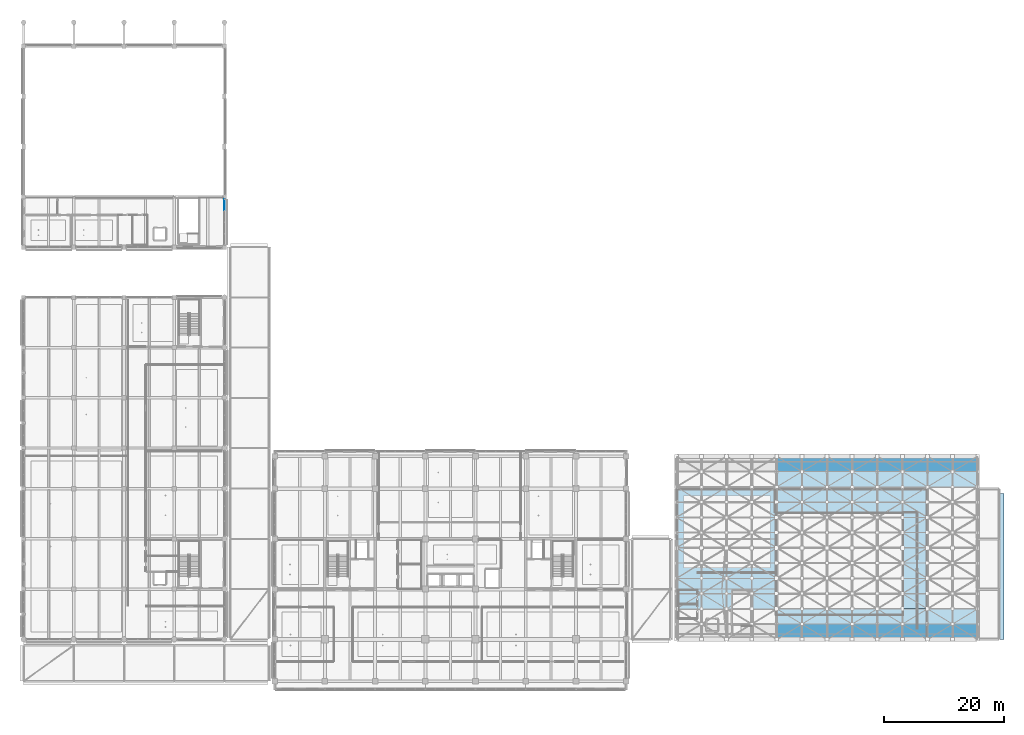
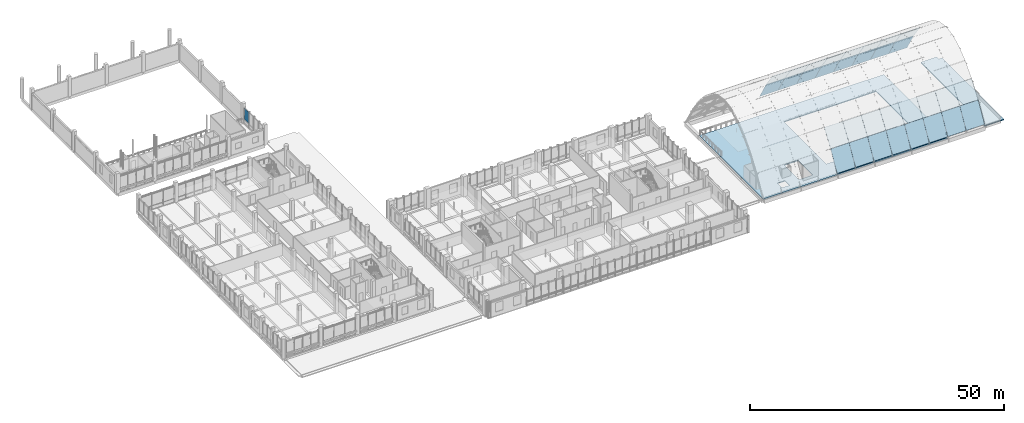
# One storey, part 43 of 128: 33 plates, 2 slabs, 1 element without a shape of its own.
"""IFC4 building model written with IfcOpenShell, lengths in metres."""

from ifc_helpers import new_model, si_unit, direction, frame, origin, origin_2d, place, context, subcontext, project, spatial, polyline, rectangle, outline, extrude, material, layer, layer_set, type_object, element, aggregate, save


model = new_model("IFC4")

# Units and contexts
model_context = context("Model", 3, precision=1e-05, world=origin(), true_north=direction((0.0, 1.0)))
body_context = subcontext(model_context, "Body", "Model", "MODEL_VIEW")
ifc_project = project(units=[si_unit("LENGTHUNIT", "METRE"), si_unit("AREAUNIT", "SQUARE_METRE"), si_unit("VOLUMEUNIT", "CUBIC_METRE"), si_unit("PLANEANGLEUNIT", "RADIAN"), si_unit("MASSUNIT", "GRAM", prefix="KILO")], contexts=[model_context])

# Site, building, storey
site_placement = place(None, origin())
site = spatial("IfcSite", under=ifc_project, at=site_placement, CompositionType="ELEMENT")
building_placement = place(site_placement, origin())
building = spatial("IfcBuilding", under=site, at=building_placement, Name="Telukmera Botanical Conservatory", CompositionType="ELEMENT")
storey_placement = place(building_placement, frame((0.0, 0.0, 5.39990234375)))
storey = spatial("IfcBuildingStorey", under=building, at=storey_placement, Name="L01", CompositionType="ELEMENT", Elevation=5.39990234375)

# Curtain wall, plate
ifc_material_1 = material(Name="Anodised aluminium 6063-T6", Category="aluminium")
ifc_layer_1 = layer(ifc_material_1, 0.179931640625)
ifc_layer_set_1 = layer_set([ifc_layer_1], Name="Anodised aluminium 6063-T6")
curtain_wall_type = type_object("IfcCurtainWallType", Name="Auditorium Upper Foyer Acoustic Curtain Wall", PredefinedType="USERDEFINED", material=ifc_layer_set_1)
curtain_wall_placement = place(storey_placement, origin())
curtain_wall = element("IfcCurtainWall", 1, at=curtain_wall_placement, inside=storey, type_object=curtain_wall_type, Name="Unitised Curtain Wall CW05 V2:L01:E1", ObjectType="UNITISED CURTAIN WALL", PredefinedType="USERDEFINED")
ifc_material_2 = material(Name="Spectrally selective low-E double glazing", Category="glass")
ifc_layer_2 = layer(ifc_material_2, 0.044921875)
ifc_layer_set_2 = layer_set([ifc_layer_2], Name="Spectrally selective low-E double glazing")
plate_type_1 = type_object("IfcPlateType", Name="Acoustic Triple Laminated Foyer Glazing Panel 45", PredefinedType="CURTAIN_PANEL", material=ifc_layer_set_2)
plate_1_placement = place(storey_placement, frame((42.0, 90.269775390625, 1.01513671875), z_axis=(0.0, 0.0, 1.0), x_axis=(0.0, 1.0, 0.0)))
plate_1 = element("IfcPlate", 2, at=plate_1_placement, type_object=plate_type_1, Name="CW05 panel 4.2", PredefinedType="CURTAIN_PANEL", context=body_context, shape_type="SweptSolid", body=[
    extrude(rectangle(XDim=1.826416015625, YDim=0.044921875, at=origin_2d()), origin(), (0.0, 0.0, 1.0), 2.705078125),
])
aggregate(curtain_wall, [plate_1])

# Plates
ifc_material_3 = material(Name="Low-iron laminated conservatory glass", Category="glass")
ifc_layer_3 = layer(ifc_material_3, 0.031982421875)
ifc_layer_set_3 = layer_set([ifc_layer_3], Name="Low-iron laminated conservatory glass")
plate_type_2 = type_object("IfcPlateType", Name="Conservatory Gridshell Laminated Skylight Facet 32", PredefinedType="USERDEFINED", material=ifc_layer_set_3)
plate_2_placement = place(storey_placement, frame((134.402099609375, 17.60205078125, 0.255859375), z_axis=(0.0, -0.865208931933, 0.501411511737), x_axis=(1.0, 0.0, 0.0)))
element("IfcPlate", 3, at=plate_2_placement, inside=storey, type_object=plate_type_2, Name="Conservatory Gridshell Glass Facet 05-01", ObjectType="SKYLIGHT_PANEL", PredefinedType="USERDEFINED", context=body_context, shape_type="SweptSolid", body=[
    extrude(outline(polyline([(0.0, 0.0), (4.19580078125, 0.0), (4.19580078125, 5.077463077540518), (0.0, 5.077463077540518), (0.0, 0.0)])), origin(), (0.0, 0.0, -1.0), 0.031982421875),
])
for number, where, z_axis, x_axis, name in (
    (4, (134.402099609375, 20.152099609375, 4.6552734375), (0.0, -0.81602665981, 0.578014264944), (1.0, 0.0, 0.0), "Conservatory Gridshell Glass Facet 05-02"),
    (5, (134.402099609375, 43.10205078125, 8.24951171875), (0.0, 0.81602665981, 0.578014264944), (1.0, 0.0, 0.0), "Conservatory Gridshell Glass Facet 05-11"),
):
    element("IfcPlate", number, at=place(storey_placement, frame(where, z_axis=z_axis, x_axis=x_axis)), inside=storey, type_object=plate_type_2, Name=name, ObjectType="SKYLIGHT_PANEL", PredefinedType="USERDEFINED", context=body_context, shape_type="SweptSolid", body=[
        extrude(outline(polyline([(0.0, 0.0), (4.19580078125, 0.0), (4.19580078125, 4.404559873184595), (0.0, 4.404559873184595), (0.0, 0.0)])), origin(), (0.0, 0.0, -1.0), 0.031982421875),
    ])
plate_3_placement = place(storey_placement, frame((134.402099609375, 45.652099609375, 4.64892578125), z_axis=(0.0, 0.865208931933, 0.501411511737), x_axis=(1.0, 0.0, 0.0)))
element("IfcPlate", 6, at=plate_3_placement, inside=storey, type_object=plate_type_2, Name="Conservatory Gridshell Glass Facet 05-12", ObjectType="SKYLIGHT_PANEL", PredefinedType="USERDEFINED", context=body_context, shape_type="SweptSolid", body=[
    extrude(outline(polyline([(0.0, 0.0), (4.19580078125, 0.0), (4.19580078125, 5.077463077540518), (0.0, 5.077463077540518), (0.0, 0.0)])), origin(), (0.0, 0.0, -1.0), 0.031982421875),
])
plate_4_placement = place(storey_placement, frame((138.60205078125, 17.60205078125, 0.255859375), z_axis=(0.0, -0.865208931933, 0.501411511737), x_axis=(1.0, 0.0, 0.0)))
element("IfcPlate", 7, at=plate_4_placement, inside=storey, type_object=plate_type_2, Name="Conservatory Gridshell Glass Facet 06-01", ObjectType="SKYLIGHT_PANEL", PredefinedType="USERDEFINED", context=body_context, shape_type="SweptSolid", body=[
    extrude(outline(polyline([(0.0, 0.0), (4.196044921875, 0.0), (4.196044921875, 5.077463077540518), (0.0, 5.077463077540518), (0.0, 0.0)])), origin(), (0.0, 0.0, -1.0), 0.031982421875),
])
for number, where, z_axis, x_axis, name in (
    (8, (138.60205078125, 20.152099609375, 4.6552734375), (0.0, -0.81602665981, 0.578014264944), (1.0, 0.0, 0.0), "Conservatory Gridshell Glass Facet 06-02"),
    (9, (138.60205078125, 43.10205078125, 8.24951171875), (0.0, 0.81602665981, 0.578014264944), (1.0, 0.0, 0.0), "Conservatory Gridshell Glass Facet 06-11"),
):
    element("IfcPlate", number, at=place(storey_placement, frame(where, z_axis=z_axis, x_axis=x_axis)), inside=storey, type_object=plate_type_2, Name=name, ObjectType="SKYLIGHT_PANEL", PredefinedType="USERDEFINED", context=body_context, shape_type="SweptSolid", body=[
        extrude(outline(polyline([(0.0, 0.0), (4.196044921875, 0.0), (4.196044921875, 4.404559873184596), (0.0, 4.404559873184596), (0.0, 0.0)])), origin(), (0.0, 0.0, -1.0), 0.031982421875),
    ])
for number, where, z_axis, x_axis, name in (
    (10, (138.60205078125, 45.652099609375, 4.64892578125), (0.0, 0.865208931933, 0.501411511737), (1.0, 0.0, 0.0), "Conservatory Gridshell Glass Facet 06-12"),
    (11, (142.802001953125, 17.60205078125, 0.255859375), (0.0, -0.865208931933, 0.501411511737), (1.0, 0.0, 0.0), "Conservatory Gridshell Glass Facet 07-01"),
):
    element("IfcPlate", number, at=place(storey_placement, frame(where, z_axis=z_axis, x_axis=x_axis)), inside=storey, type_object=plate_type_2, Name=name, ObjectType="SKYLIGHT_PANEL", PredefinedType="USERDEFINED", context=body_context, shape_type="SweptSolid", body=[
        extrude(outline(polyline([(0.0, 0.0), (4.196044921875, 0.0), (4.196044921875, 5.077463077540518), (0.0, 5.077463077540518), (0.0, 0.0)])), origin(), (0.0, 0.0, -1.0), 0.031982421875),
    ])
for number, where, z_axis, x_axis, name in (
    (12, (142.802001953125, 20.152099609375, 4.6552734375), (0.0, -0.81602665981, 0.578014264944), (1.0, 0.0, 0.0), "Conservatory Gridshell Glass Facet 07-02"),
    (13, (142.802001953125, 43.10205078125, 8.24951171875), (0.0, 0.81602665981, 0.578014264944), (1.0, 0.0, 0.0), "Conservatory Gridshell Glass Facet 07-11"),
):
    element("IfcPlate", number, at=place(storey_placement, frame(where, z_axis=z_axis, x_axis=x_axis)), inside=storey, type_object=plate_type_2, Name=name, ObjectType="SKYLIGHT_PANEL", PredefinedType="USERDEFINED", context=body_context, shape_type="SweptSolid", body=[
        extrude(outline(polyline([(0.0, 0.0), (4.196044921875, 0.0), (4.196044921875, 4.404559873184596), (0.0, 4.404559873184596), (0.0, 0.0)])), origin(), (0.0, 0.0, -1.0), 0.031982421875),
    ])
for number, where, z_axis, x_axis, name in (
    (14, (142.802001953125, 45.652099609375, 4.64892578125), (0.0, 0.865208931933, 0.501411511737), (1.0, 0.0, 0.0), "Conservatory Gridshell Glass Facet 07-12"),
    (15, (147.001953125, 17.60205078125, 0.255859375), (0.0, -0.865208931933, 0.501411511737), (1.0, 0.0, 0.0), "Conservatory Gridshell Glass Facet 08-01"),
):
    element("IfcPlate", number, at=place(storey_placement, frame(where, z_axis=z_axis, x_axis=x_axis)), inside=storey, type_object=plate_type_2, Name=name, ObjectType="SKYLIGHT_PANEL", PredefinedType="USERDEFINED", context=body_context, shape_type="SweptSolid", body=[
        extrude(outline(polyline([(0.0, 0.0), (4.196044921875, 0.0), (4.196044921875, 5.077463077540518), (0.0, 5.077463077540518), (0.0, 0.0)])), origin(), (0.0, 0.0, -1.0), 0.031982421875),
    ])
for number, where, z_axis, x_axis, name in (
    (16, (147.001953125, 20.152099609375, 4.6552734375), (0.0, -0.81602665981, 0.578014264944), (1.0, 0.0, 0.0), "Conservatory Gridshell Glass Facet 08-02"),
    (17, (147.001953125, 43.10205078125, 8.24951171875), (0.0, 0.81602665981, 0.578014264944), (1.0, 0.0, 0.0), "Conservatory Gridshell Glass Facet 08-11"),
):
    element("IfcPlate", number, at=place(storey_placement, frame(where, z_axis=z_axis, x_axis=x_axis)), inside=storey, type_object=plate_type_2, Name=name, ObjectType="SKYLIGHT_PANEL", PredefinedType="USERDEFINED", context=body_context, shape_type="SweptSolid", body=[
        extrude(outline(polyline([(0.0, 0.0), (4.196044921875, 0.0), (4.196044921875, 4.404559873184596), (0.0, 4.404559873184596), (0.0, 0.0)])), origin(), (0.0, 0.0, -1.0), 0.031982421875),
    ])
for number, where, z_axis, x_axis, name in (
    (18, (147.001953125, 45.652099609375, 4.64892578125), (0.0, 0.865208931933, 0.501411511737), (1.0, 0.0, 0.0), "Conservatory Gridshell Glass Facet 08-12"),
    (19, (151.201904296875, 17.60205078125, 0.255859375), (0.0, -0.865208931933, 0.501411511737), (1.0, 0.0, 0.0), "Conservatory Gridshell Glass Facet 09-01"),
):
    element("IfcPlate", number, at=place(storey_placement, frame(where, z_axis=z_axis, x_axis=x_axis)), inside=storey, type_object=plate_type_2, Name=name, ObjectType="SKYLIGHT_PANEL", PredefinedType="USERDEFINED", context=body_context, shape_type="SweptSolid", body=[
        extrude(outline(polyline([(0.0, 0.0), (4.196044921875, 0.0), (4.196044921875, 5.077463077540518), (0.0, 5.077463077540518), (0.0, 0.0)])), origin(), (0.0, 0.0, -1.0), 0.031982421875),
    ])
for number, where, z_axis, x_axis, name in (
    (20, (151.201904296875, 20.152099609375, 4.6552734375), (0.0, -0.81602665981, 0.578014264944), (1.0, 0.0, 0.0), "Conservatory Gridshell Glass Facet 09-02"),
    (21, (151.201904296875, 43.10205078125, 8.24951171875), (0.0, 0.81602665981, 0.578014264944), (1.0, 0.0, 0.0), "Conservatory Gridshell Glass Facet 09-11"),
):
    element("IfcPlate", number, at=place(storey_placement, frame(where, z_axis=z_axis, x_axis=x_axis)), inside=storey, type_object=plate_type_2, Name=name, ObjectType="SKYLIGHT_PANEL", PredefinedType="USERDEFINED", context=body_context, shape_type="SweptSolid", body=[
        extrude(outline(polyline([(0.0, 0.0), (4.196044921875, 0.0), (4.196044921875, 4.404559873184596), (0.0, 4.404559873184596), (0.0, 0.0)])), origin(), (0.0, 0.0, -1.0), 0.031982421875),
    ])
plate_5_placement = place(storey_placement, frame((151.201904296875, 45.652099609375, 4.64892578125), z_axis=(0.0, 0.865208931933, 0.501411511737), x_axis=(1.0, 0.0, 0.0)))
element("IfcPlate", 22, at=plate_5_placement, inside=storey, type_object=plate_type_2, Name="Conservatory Gridshell Glass Facet 09-12", ObjectType="SKYLIGHT_PANEL", PredefinedType="USERDEFINED", context=body_context, shape_type="SweptSolid", body=[
    extrude(outline(polyline([(0.0, 0.0), (4.196044921875, 0.0), (4.196044921875, 5.077463077540518), (0.0, 5.077463077540518), (0.0, 0.0)])), origin(), (0.0, 0.0, -1.0), 0.031982421875),
])
plate_6_placement = place(storey_placement, frame((155.402099609375, 17.60205078125, 0.255859375), z_axis=(0.0, -0.865208931933, 0.501411511737), x_axis=(1.0, 0.0, 0.0)))
element("IfcPlate", 23, at=plate_6_placement, inside=storey, type_object=plate_type_2, Name="Conservatory Gridshell Glass Facet 10-01", ObjectType="SKYLIGHT_PANEL", PredefinedType="USERDEFINED", context=body_context, shape_type="SweptSolid", body=[
    extrude(outline(polyline([(0.0, 0.0), (4.19580078125, 0.0), (4.19580078125, 5.077463077540518), (0.0, 5.077463077540518), (0.0, 0.0)])), origin(), (0.0, 0.0, -1.0), 0.031982421875),
])
for number, where, z_axis, x_axis, name in (
    (24, (155.402099609375, 20.152099609375, 4.6552734375), (0.0, -0.81602665981, 0.578014264944), (1.0, 0.0, 0.0), "Conservatory Gridshell Glass Facet 10-02"),
    (25, (155.402099609375, 43.10205078125, 8.24951171875), (0.0, 0.81602665981, 0.578014264944), (1.0, 0.0, 0.0), "Conservatory Gridshell Glass Facet 10-11"),
):
    element("IfcPlate", number, at=place(storey_placement, frame(where, z_axis=z_axis, x_axis=x_axis)), inside=storey, type_object=plate_type_2, Name=name, ObjectType="SKYLIGHT_PANEL", PredefinedType="USERDEFINED", context=body_context, shape_type="SweptSolid", body=[
        extrude(outline(polyline([(0.0, 0.0), (4.19580078125, 0.0), (4.19580078125, 4.404559873184595), (0.0, 4.404559873184595), (0.0, 0.0)])), origin(), (0.0, 0.0, -1.0), 0.031982421875),
    ])
plate_7_placement = place(storey_placement, frame((155.402099609375, 45.652099609375, 4.64892578125), z_axis=(0.0, 0.865208931933, 0.501411511737), x_axis=(1.0, 0.0, 0.0)))
element("IfcPlate", 26, at=plate_7_placement, inside=storey, type_object=plate_type_2, Name="Conservatory Gridshell Glass Facet 10-12", ObjectType="SKYLIGHT_PANEL", PredefinedType="USERDEFINED", context=body_context, shape_type="SweptSolid", body=[
    extrude(outline(polyline([(0.0, 0.0), (4.19580078125, 0.0), (4.19580078125, 5.077463077540518), (0.0, 5.077463077540518), (0.0, 0.0)])), origin(), (0.0, 0.0, -1.0), 0.031982421875),
])
plate_8_placement = place(storey_placement, frame((159.60205078125, 17.60205078125, 0.255859375), z_axis=(0.0, -0.865208931933, 0.501411511737), x_axis=(1.0, 0.0, 0.0)))
element("IfcPlate", 27, at=plate_8_placement, inside=storey, type_object=plate_type_2, Name="Conservatory Gridshell Glass Facet 11-01", ObjectType="SKYLIGHT_PANEL", PredefinedType="USERDEFINED", context=body_context, shape_type="SweptSolid", body=[
    extrude(outline(polyline([(0.0, 0.0), (4.196044921875, 0.0), (4.196044921875, 5.077463077540518), (0.0, 5.077463077540518), (0.0, 0.0)])), origin(), (0.0, 0.0, -1.0), 0.031982421875),
])
for number, where, z_axis, x_axis, name in (
    (28, (159.60205078125, 20.152099609375, 4.6552734375), (0.0, -0.81602665981, 0.578014264944), (1.0, 0.0, 0.0), "Conservatory Gridshell Glass Facet 11-02"),
    (29, (159.60205078125, 43.10205078125, 8.24951171875), (0.0, 0.81602665981, 0.578014264944), (1.0, 0.0, 0.0), "Conservatory Gridshell Glass Facet 11-11"),
):
    element("IfcPlate", number, at=place(storey_placement, frame(where, z_axis=z_axis, x_axis=x_axis)), inside=storey, type_object=plate_type_2, Name=name, ObjectType="SKYLIGHT_PANEL", PredefinedType="USERDEFINED", context=body_context, shape_type="SweptSolid", body=[
        extrude(outline(polyline([(0.0, 0.0), (4.196044921875, 0.0), (4.196044921875, 4.404559873184596), (0.0, 4.404559873184596), (0.0, 0.0)])), origin(), (0.0, 0.0, -1.0), 0.031982421875),
    ])
for number, where, z_axis, x_axis, name in (
    (30, (159.60205078125, 45.652099609375, 4.64892578125), (0.0, 0.865208931933, 0.501411511737), (1.0, 0.0, 0.0), "Conservatory Gridshell Glass Facet 11-12"),
    (31, (163.802001953125, 17.60205078125, 0.255859375), (0.0, -0.865208931933, 0.501411511737), (1.0, 0.0, 0.0), "Conservatory Gridshell Glass Facet 12-01"),
):
    element("IfcPlate", number, at=place(storey_placement, frame(where, z_axis=z_axis, x_axis=x_axis)), inside=storey, type_object=plate_type_2, Name=name, ObjectType="SKYLIGHT_PANEL", PredefinedType="USERDEFINED", context=body_context, shape_type="SweptSolid", body=[
        extrude(outline(polyline([(0.0, 0.0), (4.196044921875, 0.0), (4.196044921875, 5.077463077540518), (0.0, 5.077463077540518), (0.0, 0.0)])), origin(), (0.0, 0.0, -1.0), 0.031982421875),
    ])
for number, where, z_axis, x_axis, name in (
    (32, (163.802001953125, 20.152099609375, 4.6552734375), (0.0, -0.81602665981, 0.578014264944), (1.0, 0.0, 0.0), "Conservatory Gridshell Glass Facet 12-02"),
    (33, (163.802001953125, 43.10205078125, 8.24951171875), (0.0, 0.81602665981, 0.578014264944), (1.0, 0.0, 0.0), "Conservatory Gridshell Glass Facet 12-11"),
):
    element("IfcPlate", number, at=place(storey_placement, frame(where, z_axis=z_axis, x_axis=x_axis)), inside=storey, type_object=plate_type_2, Name=name, ObjectType="SKYLIGHT_PANEL", PredefinedType="USERDEFINED", context=body_context, shape_type="SweptSolid", body=[
        extrude(outline(polyline([(0.0, 0.0), (4.196044921875, 0.0), (4.196044921875, 4.404559873184596), (0.0, 4.404559873184596), (0.0, 0.0)])), origin(), (0.0, 0.0, -1.0), 0.031982421875),
    ])
plate_9_placement = place(storey_placement, frame((163.802001953125, 45.652099609375, 4.64892578125), z_axis=(0.0, 0.865208931933, 0.501411511737), x_axis=(1.0, 0.0, 0.0)))
element("IfcPlate", 34, at=plate_9_placement, inside=storey, type_object=plate_type_2, Name="Conservatory Gridshell Glass Facet 12-12", ObjectType="SKYLIGHT_PANEL", PredefinedType="USERDEFINED", context=body_context, shape_type="SweptSolid", body=[
    extrude(outline(polyline([(0.0, 0.0), (4.196044921875, 0.0), (4.196044921875, 5.077463077540518), (0.0, 5.077463077540518), (0.0, 0.0)])), origin(), (0.0, 0.0, -1.0), 0.031982421875),
])

# Slabs
ifc_material_4 = material(Name="Concrete C40/50", Category="concrete")
ifc_layer_4 = layer(ifc_material_4, 0.199951171875)
ifc_layer_set_4 = layer_set([ifc_layer_4], Name="Concrete C40/50")
slab_type_1 = type_object("IfcSlabType", Name="Slab_FS20", PredefinedType="FLOOR", material=ifc_layer_set_4)
slab_1_placement = place(storey_placement, frame((0.0, 0.0, -0.199951171875)))
element("IfcSlab", 35, at=slab_1_placement, inside=storey, type_object=slab_type_1, Name="Conservatory L01 Elevated Canopy Skywalk Slab", PredefinedType="FLOOR", context=body_context, shape_type="SweptSolid", body=[
    extrude(outline(polyline([(117.60009765625, 17.60009765625), (159.60009765625, 17.60009765625), (159.60009765625, 42.800048828125), (117.60009765625, 42.800048828125), (117.60009765625, 17.60009765625)]), holes=[polyline([(130.199951171875, 19.883056640625), (130.199951171875, 25.699951171875), (127.0, 25.699951171875), (127.0, 19.883056640625), (130.199951171875, 19.883056640625)]), polyline([(122.72998046875, 19.080078125), (124.469970703125, 19.080078125), (124.469970703125, 20.919921875), (122.72998046875, 20.919921875), (122.72998046875, 19.080078125)]), polyline([(134.39990234375, 21.800048828125), (155.39990234375, 21.800048828125), (155.39990234375, 38.60009765625), (134.39990234375, 38.60009765625), (134.39990234375, 21.800048828125)])]), origin(), (0.0, 0.0, 1.0), 0.199951171875),
])
ifc_layer_5 = layer(ifc_material_4, 0.199951171875)
ifc_layer_set_5 = layer_set([ifc_layer_5], Name="Concrete C40/50")
slab_type_2 = type_object("IfcSlabType", Name="Slab_RS20", PredefinedType="ROOF", material=ifc_layer_set_5)
slab_2_placement = place(storey_placement, frame((0.0, 0.0, -0.199951171875)))
element("IfcSlab", 36, at=slab_2_placement, inside=storey, type_object=slab_type_2, Name="Conservatory East Prep Wing Flat Roof Slab", PredefinedType="ROOF", context=body_context, shape_type="SweptSolid", body=[
    extrude(outline(polyline([(168.0, 17.60009765625), (172.39990234375, 17.60009765625), (172.39990234375, 42.0), (171.60009765625, 42.0), (171.60009765625, 42.800048828125), (168.0, 42.800048828125), (168.0, 17.60009765625)])), origin(), (0.0, 0.0, 1.0), 0.199951171875),
])

save(model, "model.ifc")
